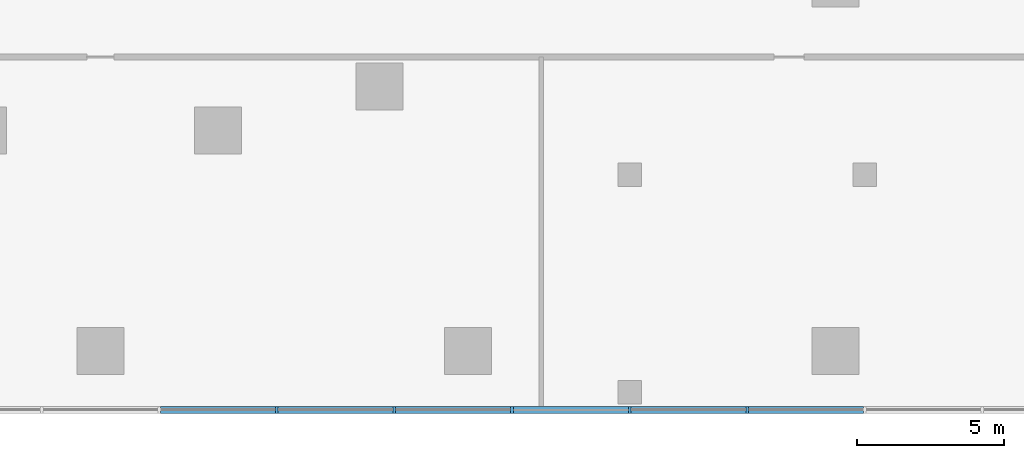
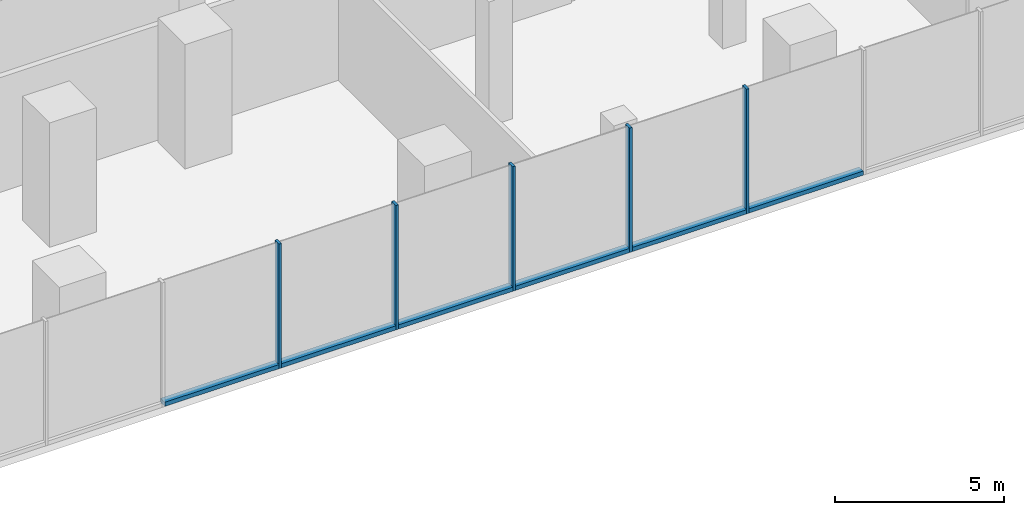
# One storey, part 3 of 15: 11 members, 1 element without a shape of its own.
"""IFC4 building model written with IfcOpenShell, lengths in metres."""

from ifc_helpers import new_model, si_unit, direction, frame, origin, origin_2d, place, context, subcontext, project, spatial, rectangle, extrude, material, material_profile, profile_set, type_object, element, aggregate, save


model = new_model("IFC4")

# Units and contexts
model_context = context("Model", 3, precision=1e-05, world=origin(), true_north=direction((0.0, 1.0)))
body_context = subcontext(model_context, "Body", "Model", "MODEL_VIEW")
ifc_project = project(units=[si_unit("LENGTHUNIT", "METRE"), si_unit("AREAUNIT", "SQUARE_METRE"), si_unit("VOLUMEUNIT", "CUBIC_METRE"), si_unit("PLANEANGLEUNIT", "RADIAN"), si_unit("MASSUNIT", "GRAM", prefix="KILO")], contexts=[model_context])

# Site, building, storey
site_placement = place(None, origin())
site = spatial("IfcSite", under=ifc_project, at=site_placement, CompositionType="ELEMENT")
building_placement = place(site_placement, origin())
building = spatial("IfcBuilding", under=site, at=building_placement, Name="Torsade Residences", CompositionType="ELEMENT")
storey_placement = place(building_placement, frame((0.0, 0.0, 6.0)))
storey = spatial("IfcBuildingStorey", under=building, at=storey_placement, Name="L01", CompositionType="ELEMENT", Elevation=6.0)

# Curtain wall, members
ifc_material_1 = material(Name="Aluminium and glass", Category="aluminium")
curtain_wall_type = type_object("IfcCurtainWallType", Name="PODIUM CURTAIN WALL", PredefinedType="NOTDEFINED", material=ifc_material_1)
curtain_wall_placement = place(storey_placement, origin())
curtain_wall = element("IfcCurtainWall", 1, at=curtain_wall_placement, inside=storey, type_object=curtain_wall_type, Name="Podium curtain wall L01 S", PredefinedType="NOTDEFINED")
ifc_material_2 = material(Name="Aluminium mullion", Category="aluminium")
ifc_material_profile_1 = material_profile(ifc_material_2, rectangle(XDim=0.25, YDim=0.090087890625, at=origin_2d()), Name="PODIUM CURTAIN WALL MULLION 250x90")
ifc_profile_set_1 = profile_set([ifc_material_profile_1], Name="Aluminium mullion")
member_type_1 = type_object("IfcMemberType", Name="PODIUM CURTAIN WALL MULLION 250x90", PredefinedType="MULLION", material=ifc_profile_set_1)
member_1_placement = place(storey_placement, frame((46.0, 3.0, 0.0), z_axis=(0.0, 0.0, 1.0), x_axis=(0.0, 1.0, 0.0)))
member_1 = element("IfcMember", 2, at=member_1_placement, type_object=member_type_1, Name="Mullion 12", PredefinedType="MULLION", context=body_context, shape_type="SweptSolid", body=[
    extrude(rectangle(XDim=0.25, YDim=0.090087890625, at=origin_2d()), origin(), (0.0, 0.0, 1.0), 4.5),
])
member_2_placement = place(storey_placement, frame((50.0, 3.0, 0.0), z_axis=(0.0, 0.0, 1.0), x_axis=(0.0, 1.0, 0.0)))
member_2 = element("IfcMember", 3, at=member_2_placement, type_object=member_type_1, Name="Mullion 13", PredefinedType="MULLION", context=body_context, shape_type="SweptSolid", body=[
    extrude(rectangle(XDim=0.25, YDim=0.090087890625, at=origin_2d()), origin(), (0.0, 0.0, 1.0), 4.5),
])
member_3_placement = place(storey_placement, frame((54.0, 3.0, 0.0), z_axis=(0.0, 0.0, 1.0), x_axis=(0.0, 1.0, 0.0)))
member_3 = element("IfcMember", 4, at=member_3_placement, type_object=member_type_1, Name="Mullion 14", PredefinedType="MULLION", context=body_context, shape_type="SweptSolid", body=[
    extrude(rectangle(XDim=0.25, YDim=0.090087890625, at=origin_2d()), origin(), (0.0, 0.0, 1.0), 4.5),
])
member_4_placement = place(storey_placement, frame((58.0, 3.0, 0.0), z_axis=(0.0, 0.0, 1.0), x_axis=(0.0, 1.0, 0.0)))
member_4 = element("IfcMember", 5, at=member_4_placement, type_object=member_type_1, Name="Mullion 15", PredefinedType="MULLION", context=body_context, shape_type="SweptSolid", body=[
    extrude(rectangle(XDim=0.25, YDim=0.090087890625, at=origin_2d()), origin(), (0.0, 0.0, 1.0), 4.5),
])
member_5_placement = place(storey_placement, frame((62.0, 3.0, 0.0), z_axis=(0.0, 0.0, 1.0), x_axis=(0.0, 1.0, 0.0)))
member_5 = element("IfcMember", 6, at=member_5_placement, type_object=member_type_1, Name="Mullion 16", PredefinedType="MULLION", context=body_context, shape_type="SweptSolid", body=[
    extrude(rectangle(XDim=0.25, YDim=0.090087890625, at=origin_2d()), origin(), (0.0, 0.0, 1.0), 4.5),
])
ifc_material_3 = material(Name="Aluminium transom", Category="aluminium")
ifc_material_profile_2 = material_profile(ifc_material_3, rectangle(XDim=0.25, YDim=0.14990234375, at=origin_2d()), Name="PODIUM CURTAIN WALL TRANSOM 250x150")
ifc_profile_set_2 = profile_set([ifc_material_profile_2], Name="Aluminium transom")
member_type_2 = type_object("IfcMemberType", Name="PODIUM CURTAIN WALL TRANSOM 250x150", PredefinedType="USERDEFINED", material=ifc_profile_set_2)
member_6_placement = place(storey_placement, frame((42.044921875, 3.0, 0.074951171875), z_axis=(1.0, 0.0, 0.0), x_axis=(0.0, 1.0, 0.0)))
member_6 = element("IfcMember", 7, at=member_6_placement, type_object=member_type_2, Name="Transom 11.1", ObjectType="TRANSOM", PredefinedType="USERDEFINED", context=body_context, shape_type="SweptSolid", body=[
    extrude(rectangle(XDim=0.25, YDim=0.14990234375, at=origin_2d()), origin(), (0.0, 0.0, 1.0), 3.91015625),
])
member_7_placement = place(storey_placement, frame((46.044921875, 3.0, 0.074951171875), z_axis=(1.0, 0.0, 0.0), x_axis=(0.0, 1.0, 0.0)))
member_7 = element("IfcMember", 8, at=member_7_placement, type_object=member_type_2, Name="Transom 12.1", ObjectType="TRANSOM", PredefinedType="USERDEFINED", context=body_context, shape_type="SweptSolid", body=[
    extrude(rectangle(XDim=0.25, YDim=0.14990234375, at=origin_2d()), origin(), (0.0, 0.0, 1.0), 3.91015625),
])
member_8_placement = place(storey_placement, frame((50.044921875, 3.0, 0.074951171875), z_axis=(1.0, 0.0, 0.0), x_axis=(0.0, 1.0, 0.0)))
member_8 = element("IfcMember", 9, at=member_8_placement, type_object=member_type_2, Name="Transom 13.1", ObjectType="TRANSOM", PredefinedType="USERDEFINED", context=body_context, shape_type="SweptSolid", body=[
    extrude(rectangle(XDim=0.25, YDim=0.14990234375, at=origin_2d()), origin(), (0.0, 0.0, 1.0), 3.91015625),
])
member_9_placement = place(storey_placement, frame((54.044921875, 3.0, 0.074951171875), z_axis=(1.0, 0.0, 0.0), x_axis=(0.0, 1.0, 0.0)))
member_9 = element("IfcMember", 10, at=member_9_placement, type_object=member_type_2, Name="Transom 14.1", ObjectType="TRANSOM", PredefinedType="USERDEFINED", context=body_context, shape_type="SweptSolid", body=[
    extrude(rectangle(XDim=0.25, YDim=0.14990234375, at=origin_2d()), origin(), (0.0, 0.0, 1.0), 3.91015625),
])
member_10_placement = place(storey_placement, frame((58.044921875, 3.0, 0.074951171875), z_axis=(1.0, 0.0, 0.0), x_axis=(0.0, 1.0, 0.0)))
member_10 = element("IfcMember", 11, at=member_10_placement, type_object=member_type_2, Name="Transom 15.1", ObjectType="TRANSOM", PredefinedType="USERDEFINED", context=body_context, shape_type="SweptSolid", body=[
    extrude(rectangle(XDim=0.25, YDim=0.14990234375, at=origin_2d()), origin(), (0.0, 0.0, 1.0), 3.91015625),
])
member_11_placement = place(storey_placement, frame((62.044921875, 3.0, 0.074951171875), z_axis=(1.0, 0.0, 0.0), x_axis=(0.0, 1.0, 0.0)))
member_11 = element("IfcMember", 12, at=member_11_placement, type_object=member_type_2, Name="Transom 16.1", ObjectType="TRANSOM", PredefinedType="USERDEFINED", context=body_context, shape_type="SweptSolid", body=[
    extrude(rectangle(XDim=0.25, YDim=0.14990234375, at=origin_2d()), origin(), (0.0, 0.0, 1.0), 3.91015625),
])
aggregate(curtain_wall, [member_1, member_2, member_3, member_4, member_5, member_6, member_7, member_8, member_9, member_10, member_11])

save(model, "model.ifc")
